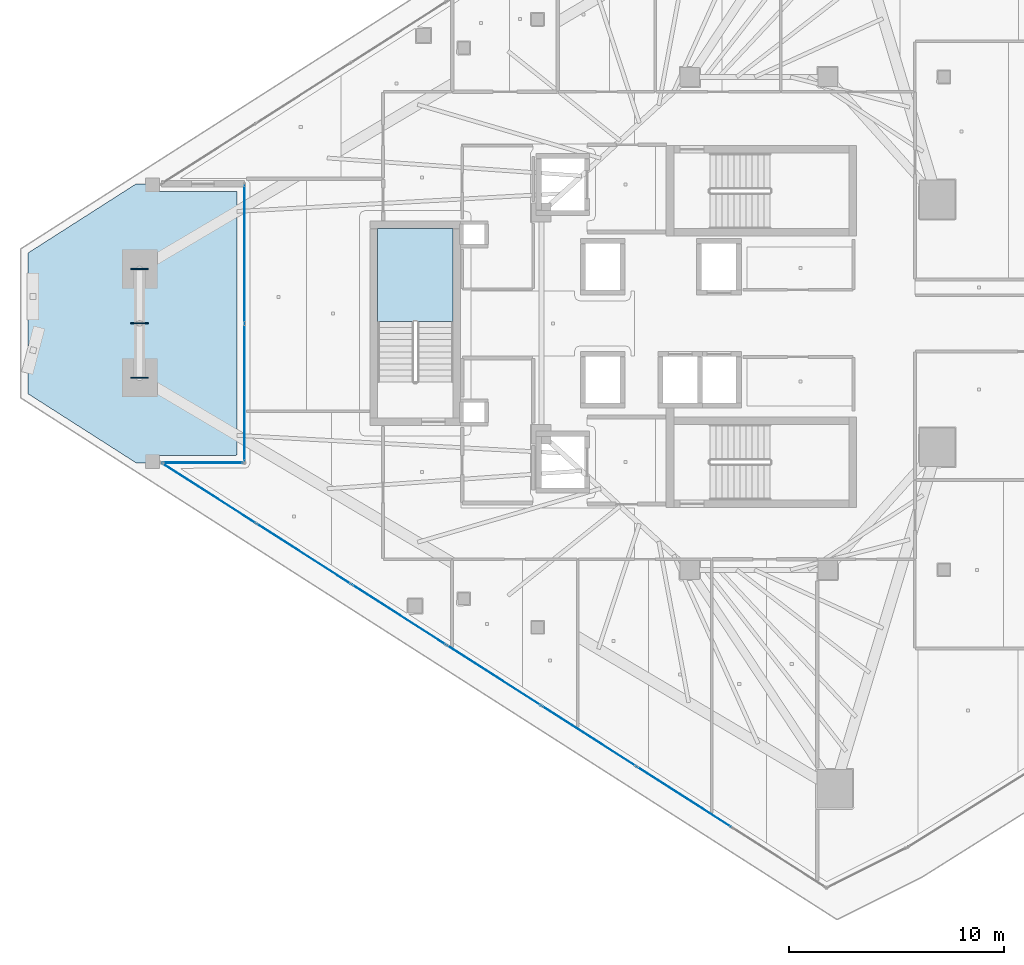
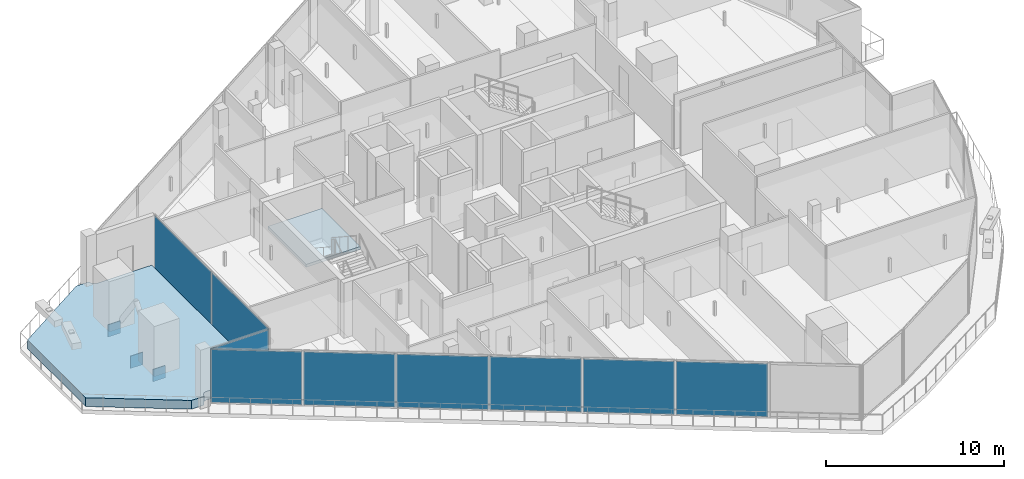
# One storey, part 19 of 32: 12 plates, 2 slabs, 4 elements without a shape of their own.
"""IFC4 building model written with IfcOpenShell, lengths in metres."""

from ifc_helpers import new_model, si_unit, direction, frame, origin, origin_2d, place, context, subcontext, project, spatial, polyline, rectangle, outline, extrude, material, layer, layer_set, type_object, element, aggregate, save


model = new_model("IFC4")

# Units and contexts
model_context = context("Model", 3, precision=1e-05, world=origin(), true_north=direction((0.0, 1.0)))
body_context = subcontext(model_context, "Body", "Model", "MODEL_VIEW")
ifc_project = project(units=[si_unit("LENGTHUNIT", "METRE"), si_unit("AREAUNIT", "SQUARE_METRE"), si_unit("VOLUMEUNIT", "CUBIC_METRE"), si_unit("PLANEANGLEUNIT", "RADIAN"), si_unit("MASSUNIT", "GRAM", prefix="KILO")], contexts=[model_context])

# Site, building, storey
site_placement = place(None, origin())
site = spatial("IfcSite", under=ifc_project, at=site_placement, CompositionType="ELEMENT")
building_placement = place(site_placement, origin())
building = spatial("IfcBuilding", under=site, at=building_placement, Name="Qorvath Tower", CompositionType="ELEMENT")
storey_placement = place(building_placement, frame((0.0, 0.0, 233.39990234375)))
storey = spatial("IfcBuildingStorey", under=building, at=storey_placement, Name="L54", CompositionType="ELEMENT", Elevation=233.39990234375)

# Curtain wall, plates
ifc_material_1 = material(Name="Anodised aluminium and triple low-E glass", Category="aluminium")
ifc_layer_1 = layer(ifc_material_1, 0.179931640625)
ifc_layer_set_1 = layer_set([ifc_layer_1], Name="CW-SYS-5")
curtain_wall_type = type_object("IfcCurtainWallType", Name="CW-SYS-5", PredefinedType="NOTDEFINED", material=ifc_layer_set_1)
curtain_wall_1_placement = place(storey_placement, origin())
curtain_wall_1 = element("IfcCurtainWall", 1, at=curtain_wall_1_placement, inside=storey, type_object=curtain_wall_type, Name="Curtain Wall CW-5 CW-T-L54-2.1", PredefinedType="NOTDEFINED")
ifc_material_2 = material(Name="Low-E triple insulated glass", Category="glass")
ifc_layer_2 = layer(ifc_material_2, 0.031982421875)
ifc_layer_set_2 = layer_set([ifc_layer_2], Name="CWP-GLZ-32")
plate_type_1 = type_object("IfcPlateType", Name="CWP-GLZ-32", PredefinedType="CURTAIN_PANEL", material=ifc_layer_set_2)
plate_1_placement = place(storey_placement, frame((-44.2880859375, 3.2197265625, 0.06494140625), z_axis=(0.0, 0.0, 1.0), x_axis=(0.0, -1.0, 0.0)))
plate_1 = element("IfcPlate", 2, at=plate_1_placement, type_object=plate_type_1, Name="CW-5 panel 1.1", PredefinedType="CURTAIN_PANEL", context=body_context, shape_type="SweptSolid", body=[
    extrude(rectangle(XDim=6.364501953125, YDim=0.031982421875, at=origin_2d()), origin(), (0.0, 0.0, 1.0), 3.64990234375),
])
plate_2_placement = place(storey_placement, frame((-44.2880859375, -3.2197265625, 0.06494140625), z_axis=(0.0, 0.0, 1.0), x_axis=(0.0, -1.0, 0.0)))
plate_2 = element("IfcPlate", 3, at=plate_2_placement, type_object=plate_type_1, Name="CW-5 panel 2.1", PredefinedType="CURTAIN_PANEL", context=body_context, shape_type="SweptSolid", body=[
    extrude(rectangle(XDim=6.364501953125, YDim=0.031982421875, at=origin_2d()), origin(), (0.0, 0.0, 1.0), 3.64990234375),
])
aggregate(curtain_wall_1, [plate_1, plate_2])

# Curtain wall, plate
curtain_wall_2_placement = place(storey_placement, origin())
curtain_wall_2 = element("IfcCurtainWall", 4, at=curtain_wall_2_placement, inside=storey, type_object=curtain_wall_type, Name="Curtain Wall CW-5 CW-T-L54-3.1", PredefinedType="NOTDEFINED")
plate_3_placement = place(storey_placement, frame((-46.22509765625, -6.47705078125, 0.06494140625), z_axis=(0.0, 0.0, 1.0), x_axis=(-1.0, 0.0, 0.0)))
plate_3 = element("IfcPlate", 5, at=plate_3_placement, type_object=plate_type_1, Name="CW-5 panel 1.1", PredefinedType="CURTAIN_PANEL", context=body_context, shape_type="SweptSolid", body=[
    extrude(rectangle(XDim=3.723876953125, YDim=0.031982421875, at=origin_2d()), origin(), (0.0, 0.0, 1.0), 3.64990234375),
])
aggregate(curtain_wall_2, [plate_3])

# Curtain wall, plates
curtain_wall_3_placement = place(storey_placement, origin())
curtain_wall_3 = element("IfcCurtainWall", 6, at=curtain_wall_3_placement, inside=storey, type_object=curtain_wall_type, Name="Curtain Wall CW-5 CW-T-L54-4.1", PredefinedType="NOTDEFINED")
plate_4_placement = place(storey_placement, frame((-45.9384765625, -7.89794921875, 0.06494140625), z_axis=(0.0, 0.0, 1.0), x_axis=(0.842607495057, -0.538528188002, 0.0)))
plate_4 = element("IfcPlate", 7, at=plate_4_placement, type_object=plate_type_1, Name="CW-5 panel 1.1", PredefinedType="CURTAIN_PANEL", context=body_context, shape_type="SweptSolid", body=[
    extrude(rectangle(XDim=5.127197265625, YDim=0.031982421875, at=origin_2d()), origin(), (0.0, 0.0, 1.0), 3.64990234375),
])
plate_5_placement = place(storey_placement, frame((-41.539306640625, -10.709716796875, 0.06494140625), z_axis=(0.0, 0.0, 1.0), x_axis=(0.842607495057, -0.538528188002, 0.0)))
plate_5 = element("IfcPlate", 8, at=plate_5_placement, type_object=plate_type_1, Name="CW-5 panel 2.1", PredefinedType="CURTAIN_PANEL", context=body_context, shape_type="SweptSolid", body=[
    extrude(rectangle(XDim=5.164794921875, YDim=0.031982421875, at=origin_2d()), origin(), (0.0, 0.0, 1.0), 3.64990234375),
])
plate_6_placement = place(storey_placement, frame((-37.124267578125, -13.531494140625, 0.06494140625), z_axis=(0.0, 0.0, 1.0), x_axis=(0.842607495057, -0.538528188002, 0.0)))
plate_6 = element("IfcPlate", 9, at=plate_6_placement, type_object=plate_type_1, Name="CW-5 panel 3.1", PredefinedType="CURTAIN_PANEL", context=body_context, shape_type="SweptSolid", body=[
    extrude(rectangle(XDim=5.164794921875, YDim=0.031982421875, at=origin_2d()), origin(), (0.0, 0.0, 1.0), 3.64990234375),
])
plate_7_placement = place(storey_placement, frame((-32.709228515625, -16.353271484375, 0.06494140625), z_axis=(0.0, 0.0, 1.0), x_axis=(0.842607495057, -0.538528188002, 0.0)))
plate_7 = element("IfcPlate", 10, at=plate_7_placement, type_object=plate_type_1, Name="CW-5 panel 4.1", PredefinedType="CURTAIN_PANEL", context=body_context, shape_type="SweptSolid", body=[
    extrude(rectangle(XDim=5.164794921875, YDim=0.031982421875, at=origin_2d()), origin(), (0.0, 0.0, 1.0), 3.64990234375),
])
plate_8_placement = place(storey_placement, frame((-28.29443359375, -19.1748046875, 0.06494140625), z_axis=(0.0, 0.0, 1.0), x_axis=(0.842607495057, -0.538528188002, 0.0)))
plate_8 = element("IfcPlate", 11, at=plate_8_placement, type_object=plate_type_1, Name="CW-5 panel 5.1", PredefinedType="CURTAIN_PANEL", context=body_context, shape_type="SweptSolid", body=[
    extrude(rectangle(XDim=5.164794921875, YDim=0.031982421875, at=origin_2d()), origin(), (0.0, 0.0, 1.0), 3.64990234375),
])
plate_9_placement = place(storey_placement, frame((-23.87939453125, -21.99658203125, 0.06494140625), z_axis=(0.0, 0.0, 1.0), x_axis=(0.842607495057, -0.538528188002, 0.0)))
plate_9 = element("IfcPlate", 12, at=plate_9_placement, type_object=plate_type_1, Name="CW-5 panel 6.1", PredefinedType="CURTAIN_PANEL", context=body_context, shape_type="SweptSolid", body=[
    extrude(rectangle(XDim=5.164794921875, YDim=0.031982421875, at=origin_2d()), origin(), (0.0, 0.0, 1.0), 3.64990234375),
])
aggregate(curtain_wall_3, [plate_4, plate_5, plate_6, plate_7, plate_8, plate_9])

# Plates
ifc_material_3 = material(Name="Steel ASTM A572 Grade 50", Category="steel")
ifc_layer_3 = layer(ifc_material_3, 0.054931640625)
ifc_layer_set_3 = layer_set([ifc_layer_3], Name="PL-MBN1")
plate_type_2 = type_object("IfcPlateType", Name="PL-MBN1", PredefinedType="USERDEFINED", material=ifc_layer_set_3)
for number, where, z_axis, x_axis, name in (
    (13, (-49.171875, 0.0, -1.045166015625), (0.0, 0.0, 1.0), (1.0, 0.0, 0.0), "Brace Strut End Gusset Plate NDBG-147"),
    (14, (-49.171875, 2.52783203125, -0.425048828125), (0.0, 0.0, 1.0), (1.0, 0.0, 0.0), "Brace Strut End Gusset Plate NDBG-149"),
    (15, (-49.171875, -2.52783203125, -0.425048828125), (0.0, 0.0, 1.0), (1.0, 0.0, 0.0), "Brace Strut End Gusset Plate NDBG-151"),
):
    element("IfcPlate", number, at=place(storey_placement, frame(where, z_axis=z_axis, x_axis=x_axis)), inside=storey, type_object=plate_type_2, Name=name, ObjectType="GUSSET", PredefinedType="USERDEFINED", context=body_context, shape_type="SweptSolid", body=[
        extrude(rectangle(XDim=0.800048828125, YDim=0.054931640625, at=origin_2d()), origin(), (0.0, 0.0, 1.0), 0.85009765625),
    ])

# Stair, slab
ifc_material_4 = material(Name="Concrete C50/60", Category="concrete")
stair_type = type_object("IfcStairType", Name="ST-H405", PredefinedType="HALF_TURN_STAIR", material=ifc_material_4)
stair_placement = place(storey_placement, origin())
stair = element("IfcStair", 16, at=stair_placement, inside=storey, type_object=stair_type, Name="L54 Tower Exit Stair 3", PredefinedType="HALF_TURN_STAIR")
ifc_material_5 = material(Name="Concrete C50/60", Category="concrete")
ifc_layer_4 = layer(ifc_material_5, 0.199951171875)
ifc_layer_set_4 = layer_set([ifc_layer_4], Name="SL-LND-200")
slab_type_1 = type_object("IfcSlabType", Name="SL-LND-200", PredefinedType="LANDING", material=ifc_layer_set_4)
slab_1_placement = place(storey_placement, frame((0.0, 0.0, 1.8251953125)))
slab_1 = element("IfcSlab", 17, at=slab_1_placement, type_object=slab_type_1, Name="TS3 landing 1", PredefinedType="LANDING", context=body_context, shape_type="SweptSolid", body=[
    extrude(outline(polyline([(-34.60009765625, 0.080078125), (-34.60009765625, 4.39990234375), (-38.110107421875, 4.39990234375), (-38.110107421875, 0.080078125), (-34.60009765625, 0.080078125)])), origin(), (0.0, 0.0, 1.0), 0.199951171875),
])
aggregate(stair, [slab_1])

# Slab
ifc_material_6 = material(Name="Precast concrete C45/55", Category="concrete")
ifc_layer_5 = layer(ifc_material_6, 0.60009765625)
ifc_layer_set_5 = layer_set([ifc_layer_5], Name="SL-PLN-600")
slab_type_2 = type_object("IfcSlabType", Name="SL-PLN-600", PredefinedType="USERDEFINED", material=ifc_layer_set_5)
slab_2_placement = place(storey_placement, origin())
element("IfcSlab", 18, at=slab_2_placement, inside=storey, type_object=slab_type_2, Name="Sky Garden Planted Bed PLANTER L54", ObjectType="PLANTER", PredefinedType="USERDEFINED", context=body_context, shape_type="SweptSolid", body=[
    extrude(outline(polyline([(-49.337158203125, 6.47705078125), (-54.351318359375, 3.272216796875), (-54.351318359375, -3.272216796875), (-49.337158203125, -6.47705078125), (-48.51171875, -6.47705078125), (-48.505859375, -6.41259765625), (-48.486572265625, -6.34619140625), (-48.45458984375, -6.284912109375), (-48.410888671875, -6.23095703125), (-48.357666015625, -6.18701171875), (-48.296875, -6.154052734375), (-48.230712890625, -6.1337890625), (-48.196533203125, -6.128662109375), (-44.637939453125, -6.126953125), (-44.637939453125, 6.126953125), (-48.196533203125, 6.128662109375), (-48.264404296875, 6.142333984375), (-48.328125, 6.1689453125), (-48.385498046875, 6.207763671875), (-48.410888671875, 6.23095703125), (-48.45458984375, 6.284912109375), (-48.486572265625, 6.34619140625), (-48.505859375, 6.41259765625), (-48.51171875, 6.47705078125), (-49.337158203125, 6.47705078125)])), origin(), (0.0, 0.0, 1.0), 0.60009765625),
])

save(model, "model.ifc")
